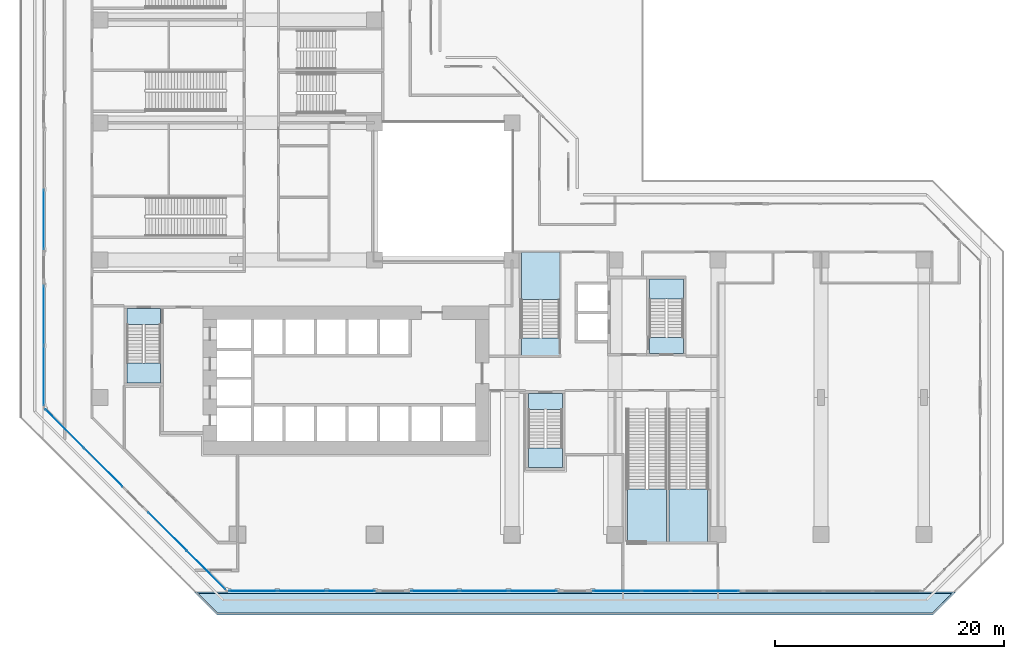
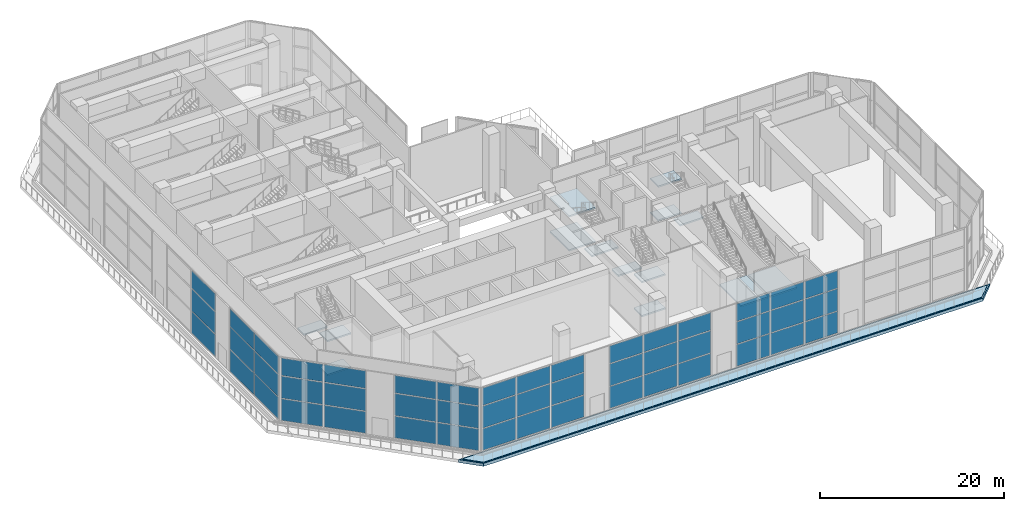
# One storey, part 9 of 28: 48 plates, 16 slabs, 13 elements without a shape of their own.
"""IFC4 building model written with IfcOpenShell, lengths in metres."""

from ifc_helpers import new_model, si_unit, direction, frame, origin, origin_2d, place, context, subcontext, project, spatial, polyline, rectangle, outline, extrude, material, layer, layer_set, type_object, element, aggregate, save


model = new_model("IFC4")

# Units and contexts
model_context = context("Model", 3, precision=1e-05, world=origin(), true_north=direction((0.0, 1.0)))
body_context = subcontext(model_context, "Body", "Model", "MODEL_VIEW")
ifc_project = project(units=[si_unit("LENGTHUNIT", "METRE"), si_unit("AREAUNIT", "SQUARE_METRE"), si_unit("VOLUMEUNIT", "CUBIC_METRE"), si_unit("PLANEANGLEUNIT", "RADIAN"), si_unit("MASSUNIT", "GRAM", prefix="KILO")], contexts=[model_context])

# Site, building, storey
site_placement = place(None, origin())
site = spatial("IfcSite", under=ifc_project, at=site_placement, CompositionType="ELEMENT")
building_placement = place(site_placement, origin())
building = spatial("IfcBuilding", under=site, at=building_placement, Name="Chenar Terraces", CompositionType="ELEMENT")
storey_placement = place(building_placement, frame((0.0, 0.0, 26.39990234375)))
storey = spatial("IfcBuildingStorey", under=building, at=storey_placement, Name="L05", CompositionType="ELEMENT", Elevation=26.39990234375)

# Stair, slabs
ifc_material_1 = material(Name="Reinforced concrete C40/50", Category="concrete")
stair_type = type_object("IfcStairType", Name="Core stair 1400 half-turn", PredefinedType="HALF_TURN_STAIR", material=ifc_material_1)
placement_1 = place(storey_placement, origin())
stair_1 = element("IfcStair", 1, at=placement_1, inside=storey, type_object=stair_type, Name="L05 Stair 1", PredefinedType="HALF_TURN_STAIR")
ifc_material_2 = material(Name="Reinforced concrete C40/50", Category="concrete")
ifc_layer_1 = layer(ifc_material_2, 0.199951171875)
ifc_layer_set_1 = layer_set([ifc_layer_1], Name="Reinforced concrete C40/50")
slab_type_1 = type_object("IfcSlabType", Name="Core stair landing 200", PredefinedType="LANDING", material=ifc_layer_set_1)
placement_2 = place(storey_placement, frame((0.0, 0.0, 2.050048828125)))
slab_1 = element("IfcSlab", 2, at=placement_2, type_object=slab_type_1, Name="ST1 landing 1", PredefinedType="LANDING", context=body_context, shape_type="SweptSolid", body=[
    extrude(outline(polyline([(2.35009765625, 14.989990234375), (2.35009765625, 13.25), (5.300048828125, 13.25), (5.300048828125, 14.989990234375), (2.35009765625, 14.989990234375)])), origin(), (0.0, 0.0, 1.0), 0.199951171875),
])
placement_3 = place(storey_placement, frame((0.0, 0.0, 4.300048828125)))
slab_2 = element("IfcSlab", 3, at=placement_3, type_object=slab_type_1, Name="ST1 landing 2", PredefinedType="LANDING", context=body_context, shape_type="SweptSolid", body=[
    extrude(outline(polyline([(2.35009765625, 19.75), (2.35009765625, 18.35009765625), (5.300048828125, 18.35009765625), (5.300048828125, 19.75), (2.35009765625, 19.75)])), origin(), (0.0, 0.0, 1.0), 0.199951171875),
])
placement_4 = place(storey_placement, frame((0.0, 0.0, 6.550048828125)))
slab_3 = element("IfcSlab", 4, at=placement_4, type_object=slab_type_1, Name="ST1 landing 3", PredefinedType="LANDING", context=body_context, shape_type="SweptSolid", body=[
    extrude(outline(polyline([(2.35009765625, 14.989990234375), (2.35009765625, 13.25), (5.300048828125, 13.25), (5.300048828125, 14.989990234375), (2.35009765625, 14.989990234375)])), origin(), (0.0, 0.0, 1.0), 0.199951171875),
])
aggregate(stair_1, [slab_1, slab_2, slab_3])

stair_2 = element("IfcStair", 5, at=placement_1, inside=storey, type_object=stair_type, Name="L05 Stair 2", PredefinedType="HALF_TURN_STAIR")
slab_4 = element("IfcSlab", 6, at=placement_2, type_object=slab_type_1, Name="ST2 landing 1", PredefinedType="LANDING", context=body_context, shape_type="SweptSolid", body=[
    extrude(outline(polyline([(37.449951171875, 7.590087890625), (37.449951171875, 5.85009765625), (40.39990234375, 5.85009765625), (40.39990234375, 7.590087890625), (37.449951171875, 7.590087890625)])), origin(), (0.0, 0.0, 1.0), 0.199951171875),
])
slab_5 = element("IfcSlab", 7, at=placement_3, type_object=slab_type_1, Name="ST2 landing 2", PredefinedType="LANDING", context=body_context, shape_type="SweptSolid", body=[
    extrude(outline(polyline([(37.449951171875, 12.35009765625), (37.449951171875, 10.949951171875), (40.39990234375, 10.949951171875), (40.39990234375, 12.35009765625), (37.449951171875, 12.35009765625)])), origin(), (0.0, 0.0, 1.0), 0.199951171875),
])
slab_6 = element("IfcSlab", 8, at=placement_4, type_object=slab_type_1, Name="ST2 landing 3", PredefinedType="LANDING", context=body_context, shape_type="SweptSolid", body=[
    extrude(outline(polyline([(37.449951171875, 7.590087890625), (37.449951171875, 5.85009765625), (40.39990234375, 5.85009765625), (40.39990234375, 7.590087890625), (37.449951171875, 7.590087890625)])), origin(), (0.0, 0.0, 1.0), 0.199951171875),
])
aggregate(stair_2, [slab_4, slab_5, slab_6])

stair_3 = element("IfcStair", 9, at=placement_1, inside=storey, type_object=stair_type, Name="L05 Stair 3", PredefinedType="HALF_TURN_STAIR")
slab_7 = element("IfcSlab", 10, at=placement_2, type_object=slab_type_1, Name="ST3 landing 1", PredefinedType="LANDING", context=body_context, shape_type="SweptSolid", body=[
    extrude(outline(polyline([(50.97509765625, 20.610107421875), (50.97509765625, 22.35009765625), (48.02490234375, 22.35009765625), (48.02490234375, 20.610107421875), (50.97509765625, 20.610107421875)])), origin(), (0.0, 0.0, 1.0), 0.199951171875),
])
slab_8 = element("IfcSlab", 11, at=placement_3, type_object=slab_type_1, Name="ST3 landing 2", PredefinedType="LANDING", context=body_context, shape_type="SweptSolid", body=[
    extrude(outline(polyline([(50.97509765625, 15.85009765625), (50.97509765625, 17.25), (48.02490234375, 17.25), (48.02490234375, 15.85009765625), (50.97509765625, 15.85009765625)])), origin(), (0.0, 0.0, 1.0), 0.199951171875),
])
slab_9 = element("IfcSlab", 12, at=placement_4, type_object=slab_type_1, Name="ST3 landing 3", PredefinedType="LANDING", context=body_context, shape_type="SweptSolid", body=[
    extrude(outline(polyline([(50.97509765625, 20.610107421875), (50.97509765625, 22.35009765625), (48.02490234375, 22.35009765625), (48.02490234375, 20.610107421875), (50.97509765625, 20.610107421875)])), origin(), (0.0, 0.0, 1.0), 0.199951171875),
])
aggregate(stair_3, [slab_7, slab_8, slab_9])

stair_4 = element("IfcStair", 13, at=placement_1, inside=storey, type_object=stair_type, Name="L05 Exit stair PS1", PredefinedType="HALF_TURN_STAIR")
slab_10 = element("IfcSlab", 14, at=placement_2, type_object=slab_type_1, Name="PS1 landing 1", PredefinedType="LANDING", context=body_context, shape_type="SweptSolid", body=[
    extrude(outline(polyline([(40.175048828125, 20.56005859375), (40.175048828125, 24.699951171875), (36.824951171875, 24.699951171875), (36.824951171875, 20.56005859375), (40.175048828125, 20.56005859375)])), origin(), (0.0, 0.0, 1.0), 0.199951171875),
])
slab_11 = element("IfcSlab", 15, at=placement_3, type_object=slab_type_1, Name="PS1 landing 2", PredefinedType="LANDING", context=body_context, shape_type="SweptSolid", body=[
    extrude(outline(polyline([(40.175048828125, 15.60009765625), (40.175048828125, 17.199951171875), (36.824951171875, 17.199951171875), (36.824951171875, 15.60009765625), (40.175048828125, 15.60009765625)])), origin(), (0.0, 0.0, 1.0), 0.199951171875),
])
slab_12 = element("IfcSlab", 16, at=placement_4, type_object=slab_type_1, Name="PS1 landing 3", PredefinedType="LANDING", context=body_context, shape_type="SweptSolid", body=[
    extrude(outline(polyline([(40.175048828125, 20.56005859375), (40.175048828125, 24.699951171875), (36.824951171875, 24.699951171875), (36.824951171875, 20.56005859375), (40.175048828125, 20.56005859375)])), origin(), (0.0, 0.0, 1.0), 0.199951171875),
])
aggregate(stair_4, [slab_10, slab_11, slab_12])

# Stair, slab
stair_5 = element("IfcStair", 17, at=placement_1, inside=storey, type_object=stair_type, Name="L05 Exit stair PS2", PredefinedType="HALF_TURN_STAIR")
slab_13 = element("IfcSlab", 18, at=placement_3, type_object=slab_type_1, Name="PS2 landing 1", PredefinedType="LANDING", context=body_context, shape_type="SweptSolid", body=[
    extrude(outline(polyline([(49.7099609375, 3.985107421875), (49.7099609375, -0.699951171875), (53.090087890625, -0.699951171875), (53.090087890625, 3.985107421875), (49.7099609375, 3.985107421875)])), origin(), (0.0, 0.0, 1.0), 0.199951171875),
])
aggregate(stair_5, [slab_13])

stair_6 = element("IfcStair", 19, at=placement_1, inside=storey, type_object=stair_type, Name="L05 Exit stair PS6", PredefinedType="HALF_TURN_STAIR")
slab_14 = element("IfcSlab", 20, at=placement_3, type_object=slab_type_1, Name="PS6 landing 1", PredefinedType="LANDING", context=body_context, shape_type="SweptSolid", body=[
    extrude(outline(polyline([(46.110107421875, 3.985107421875), (46.110107421875, -0.699951171875), (49.489990234375, -0.699951171875), (49.489990234375, 3.985107421875), (46.110107421875, 3.985107421875)])), origin(), (0.0, 0.0, 1.0), 0.199951171875),
])
aggregate(stair_6, [slab_14])

# Curtain wall, plates
ifc_material_3 = material(Name="Aluminium framed glazing", Category="aluminium")
ifc_layer_2 = layer(ifc_material_3, 0.14990234375)
ifc_layer_set_2 = layer_set([ifc_layer_2], Name="Aluminium framed glazing")
curtain_wall_type = type_object("IfcCurtainWallType", Name="Hall curtain wall", PredefinedType="NOTDEFINED", material=ifc_layer_set_2)
curtain_wall_1 = element("IfcCurtainWall", 21, at=placement_1, inside=storey, type_object=curtain_wall_type, Name="Hall curtain wall", PredefinedType="NOTDEFINED")
ifc_material_4 = material(Name="Low emissivity laminated glass, solar control coating", Category="glass")
ifc_layer_3 = layer(ifc_material_4, 0.035888671875)
ifc_layer_set_3 = layer_set([ifc_layer_3], Name="Low emissivity laminated glass, solar control coating")
plate_type = type_object("IfcPlateType", Name="Hall glazing panel 36", PredefinedType="CURTAIN_PANEL", material=ifc_layer_set_3)
plate_1_placement = place(storey_placement, frame((-4.925048828125, 27.541259765625, 0.09033203125), z_axis=(0.0, 0.0, 1.0), x_axis=(0.0, -1.0, 0.0)))
plate_1 = element("IfcPlate", 22, at=plate_1_placement, type_object=plate_type, Name="CW5-10c2 panel 2.1", PredefinedType="CURTAIN_PANEL", context=body_context, shape_type="SweptSolid", body=[
    extrude(rectangle(XDim=5.177490234375, YDim=0.035888671875, at=origin_2d()), origin(), (0.0, 0.0, 1.0), 2.864990234375),
])
plate_2_placement = place(storey_placement, frame((-4.925048828125, 27.541259765625, 3.044921875), z_axis=(0.0, 0.0, 1.0), x_axis=(0.0, -1.0, 0.0)))
plate_2 = element("IfcPlate", 23, at=plate_2_placement, type_object=plate_type, Name="CW5-10c2 panel 2.2", PredefinedType="CURTAIN_PANEL", context=body_context, shape_type="SweptSolid", body=[
    extrude(rectangle(XDim=5.177490234375, YDim=0.035888671875, at=origin_2d()), origin(), (0.0, 0.0, 1.0), 2.909912109375),
])
plate_3_placement = place(storey_placement, frame((-4.925048828125, 27.541259765625, 6.045166015625), z_axis=(0.0, 0.0, 1.0), x_axis=(0.0, -1.0, 0.0)))
plate_3 = element("IfcPlate", 24, at=plate_3_placement, type_object=plate_type, Name="CW5-10c2 panel 2.3", PredefinedType="CURTAIN_PANEL", context=body_context, shape_type="SweptSolid", body=[
    extrude(rectangle(XDim=5.177490234375, YDim=0.035888671875, at=origin_2d()), origin(), (0.0, 0.0, 1.0), 2.31494140625),
])
aggregate(curtain_wall_1, [plate_1, plate_2, plate_3])

curtain_wall_2 = element("IfcCurtainWall", 25, at=placement_1, inside=storey, type_object=curtain_wall_type, Name="Hall curtain wall", PredefinedType="NOTDEFINED")
plate_4_placement = place(storey_placement, frame((-4.925048828125, 19.15576171875, 0.09033203125), z_axis=(0.0, 0.0, 1.0), x_axis=(0.0, -1.0, 0.0)))
plate_4 = element("IfcPlate", 26, at=plate_4_placement, type_object=plate_type, Name="CW5-10c3 panel 1.1", PredefinedType="CURTAIN_PANEL", context=body_context, shape_type="SweptSolid", body=[
    extrude(rectangle(XDim=5.18359375, YDim=0.035888671875, at=origin_2d()), origin(), (0.0, 0.0, 1.0), 2.864990234375),
])
plate_5_placement = place(storey_placement, frame((-4.925048828125, 19.15576171875, 3.044921875), z_axis=(0.0, 0.0, 1.0), x_axis=(0.0, -1.0, 0.0)))
plate_5 = element("IfcPlate", 27, at=plate_5_placement, type_object=plate_type, Name="CW5-10c3 panel 1.2", PredefinedType="CURTAIN_PANEL", context=body_context, shape_type="SweptSolid", body=[
    extrude(rectangle(XDim=5.18359375, YDim=0.035888671875, at=origin_2d()), origin(), (0.0, 0.0, 1.0), 2.909912109375),
])
plate_6_placement = place(storey_placement, frame((-4.925048828125, 19.15576171875, 6.045166015625), z_axis=(0.0, 0.0, 1.0), x_axis=(0.0, -1.0, 0.0)))
plate_6 = element("IfcPlate", 28, at=plate_6_placement, type_object=plate_type, Name="CW5-10c3 panel 1.3", PredefinedType="CURTAIN_PANEL", context=body_context, shape_type="SweptSolid", body=[
    extrude(rectangle(XDim=5.18359375, YDim=0.035888671875, at=origin_2d()), origin(), (0.0, 0.0, 1.0), 2.31494140625),
])
plate_7_placement = place(storey_placement, frame((-4.925048828125, 13.882080078125, 0.09033203125), z_axis=(0.0, 0.0, 1.0), x_axis=(0.0, -1.0, 0.0)))
plate_7 = element("IfcPlate", 29, at=plate_7_placement, type_object=plate_type, Name="CW5-10c3 panel 2.1", PredefinedType="CURTAIN_PANEL", context=body_context, shape_type="SweptSolid", body=[
    extrude(rectangle(XDim=5.18359375, YDim=0.035888671875, at=origin_2d()), origin(), (0.0, 0.0, 1.0), 2.864990234375),
])
plate_8_placement = place(storey_placement, frame((-4.925048828125, 13.882080078125, 3.044921875), z_axis=(0.0, 0.0, 1.0), x_axis=(0.0, -1.0, 0.0)))
plate_8 = element("IfcPlate", 30, at=plate_8_placement, type_object=plate_type, Name="CW5-10c3 panel 2.2", PredefinedType="CURTAIN_PANEL", context=body_context, shape_type="SweptSolid", body=[
    extrude(rectangle(XDim=5.18359375, YDim=0.035888671875, at=origin_2d()), origin(), (0.0, 0.0, 1.0), 2.909912109375),
])
plate_9_placement = place(storey_placement, frame((-4.925048828125, 13.882080078125, 6.045166015625), z_axis=(0.0, 0.0, 1.0), x_axis=(0.0, -1.0, 0.0)))
plate_9 = element("IfcPlate", 31, at=plate_9_placement, type_object=plate_type, Name="CW5-10c3 panel 2.3", PredefinedType="CURTAIN_PANEL", context=body_context, shape_type="SweptSolid", body=[
    extrude(rectangle(XDim=5.18359375, YDim=0.035888671875, at=origin_2d()), origin(), (0.0, 0.0, 1.0), 2.31494140625),
])
aggregate(curtain_wall_2, [plate_4, plate_5, plate_6, plate_7, plate_8, plate_9])

curtain_wall_3 = element("IfcCurtainWall", 32, at=placement_1, inside=storey, type_object=curtain_wall_type, Name="Hall curtain wall", PredefinedType="NOTDEFINED")
plate_10_placement = place(storey_placement, frame((-3.112548828125, 9.26904296875, 0.09033203125), z_axis=(0.0, 0.0, 1.0), x_axis=(0.707106781187, -0.707106781187, 0.0)))
plate_10 = element("IfcPlate", 33, at=plate_10_placement, type_object=plate_type, Name="CW5-11c0 panel 1.1", PredefinedType="CURTAIN_PANEL", context=body_context, shape_type="SweptSolid", body=[
    extrude(rectangle(XDim=4.70849609375, YDim=0.035888671875, at=origin_2d()), origin(), (0.0, 0.0, 1.0), 2.864990234375),
])
plate_11_placement = place(storey_placement, frame((-3.112548828125, 9.26904296875, 3.044921875), z_axis=(0.0, 0.0, 1.0), x_axis=(0.707106781187, -0.707106781187, 0.0)))
plate_11 = element("IfcPlate", 34, at=plate_11_placement, type_object=plate_type, Name="CW5-11c0 panel 1.2", PredefinedType="CURTAIN_PANEL", context=body_context, shape_type="SweptSolid", body=[
    extrude(rectangle(XDim=4.70849609375, YDim=0.035888671875, at=origin_2d()), origin(), (0.0, 0.0, 1.0), 2.909912109375),
])
plate_12_placement = place(storey_placement, frame((-3.112548828125, 9.26904296875, 6.045166015625), z_axis=(0.0, 0.0, 1.0), x_axis=(0.707106781187, -0.707106781187, 0.0)))
plate_12 = element("IfcPlate", 35, at=plate_12_placement, type_object=plate_type, Name="CW5-11c0 panel 1.3", PredefinedType="CURTAIN_PANEL", context=body_context, shape_type="SweptSolid", body=[
    extrude(rectangle(XDim=4.70849609375, YDim=0.035888671875, at=origin_2d()), origin(), (0.0, 0.0, 1.0), 2.31494140625),
])
plate_13_placement = place(storey_placement, frame((0.2802734375, 5.8759765625, 0.09033203125), z_axis=(0.0, 0.0, 1.0), x_axis=(0.707106781187, -0.707106781187, 0.0)))
plate_13 = element("IfcPlate", 36, at=plate_13_placement, type_object=plate_type, Name="CW5-11c0 panel 2.1", PredefinedType="CURTAIN_PANEL", context=body_context, shape_type="SweptSolid", body=[
    extrude(rectangle(XDim=4.70849609375, YDim=0.035888671875, at=origin_2d()), origin(), (0.0, 0.0, 1.0), 2.864990234375),
])
plate_14_placement = place(storey_placement, frame((0.2802734375, 5.8759765625, 3.044921875), z_axis=(0.0, 0.0, 1.0), x_axis=(0.707106781187, -0.707106781187, 0.0)))
plate_14 = element("IfcPlate", 37, at=plate_14_placement, type_object=plate_type, Name="CW5-11c0 panel 2.2", PredefinedType="CURTAIN_PANEL", context=body_context, shape_type="SweptSolid", body=[
    extrude(rectangle(XDim=4.70849609375, YDim=0.035888671875, at=origin_2d()), origin(), (0.0, 0.0, 1.0), 2.909912109375),
])
plate_15_placement = place(storey_placement, frame((0.2802734375, 5.8759765625, 6.045166015625), z_axis=(0.0, 0.0, 1.0), x_axis=(0.707106781187, -0.707106781187, 0.0)))
plate_15 = element("IfcPlate", 38, at=plate_15_placement, type_object=plate_type, Name="CW5-11c0 panel 2.3", PredefinedType="CURTAIN_PANEL", context=body_context, shape_type="SweptSolid", body=[
    extrude(rectangle(XDim=4.70849609375, YDim=0.035888671875, at=origin_2d()), origin(), (0.0, 0.0, 1.0), 2.31494140625),
])
aggregate(curtain_wall_3, [plate_10, plate_11, plate_12, plate_13, plate_14, plate_15])

curtain_wall_4 = element("IfcCurtainWall", 39, at=placement_1, inside=storey, type_object=curtain_wall_type, Name="Hall curtain wall", PredefinedType="NOTDEFINED")
plate_16_placement = place(storey_placement, frame((5.8759765625, 0.2802734375, 0.09033203125), z_axis=(0.0, 0.0, 1.0), x_axis=(0.707106781187, -0.707106781187, 0.0)))
plate_16 = element("IfcPlate", 40, at=plate_16_placement, type_object=plate_type, Name="CW5-11c1 panel 1.1", PredefinedType="CURTAIN_PANEL", context=body_context, shape_type="SweptSolid", body=[
    extrude(rectangle(XDim=4.70849609375, YDim=0.035888671875, at=origin_2d()), origin(), (0.0, 0.0, 1.0), 2.864990234375),
])
plate_17_placement = place(storey_placement, frame((5.8759765625, 0.2802734375, 3.044921875), z_axis=(0.0, 0.0, 1.0), x_axis=(0.707106781187, -0.707106781187, 0.0)))
plate_17 = element("IfcPlate", 41, at=plate_17_placement, type_object=plate_type, Name="CW5-11c1 panel 1.2", PredefinedType="CURTAIN_PANEL", context=body_context, shape_type="SweptSolid", body=[
    extrude(rectangle(XDim=4.70849609375, YDim=0.035888671875, at=origin_2d()), origin(), (0.0, 0.0, 1.0), 2.909912109375),
])
plate_18_placement = place(storey_placement, frame((5.8759765625, 0.2802734375, 6.045166015625), z_axis=(0.0, 0.0, 1.0), x_axis=(0.707106781187, -0.707106781187, 0.0)))
plate_18 = element("IfcPlate", 42, at=plate_18_placement, type_object=plate_type, Name="CW5-11c1 panel 1.3", PredefinedType="CURTAIN_PANEL", context=body_context, shape_type="SweptSolid", body=[
    extrude(rectangle(XDim=4.70849609375, YDim=0.035888671875, at=origin_2d()), origin(), (0.0, 0.0, 1.0), 2.31494140625),
])
plate_19_placement = place(storey_placement, frame((9.26904296875, -3.112548828125, 0.09033203125), z_axis=(0.0, 0.0, 1.0), x_axis=(0.707106781187, -0.707106781187, 0.0)))
plate_19 = element("IfcPlate", 43, at=plate_19_placement, type_object=plate_type, Name="CW5-11c1 panel 2.1", PredefinedType="CURTAIN_PANEL", context=body_context, shape_type="SweptSolid", body=[
    extrude(rectangle(XDim=4.70849609375, YDim=0.035888671875, at=origin_2d()), origin(), (0.0, 0.0, 1.0), 2.864990234375),
])
plate_20_placement = place(storey_placement, frame((9.26904296875, -3.112548828125, 3.044921875), z_axis=(0.0, 0.0, 1.0), x_axis=(0.707106781187, -0.707106781187, 0.0)))
plate_20 = element("IfcPlate", 44, at=plate_20_placement, type_object=plate_type, Name="CW5-11c1 panel 2.2", PredefinedType="CURTAIN_PANEL", context=body_context, shape_type="SweptSolid", body=[
    extrude(rectangle(XDim=4.70849609375, YDim=0.035888671875, at=origin_2d()), origin(), (0.0, 0.0, 1.0), 2.909912109375),
])
plate_21_placement = place(storey_placement, frame((9.26904296875, -3.112548828125, 6.045166015625), z_axis=(0.0, 0.0, 1.0), x_axis=(0.707106781187, -0.707106781187, 0.0)))
plate_21 = element("IfcPlate", 45, at=plate_21_placement, type_object=plate_type, Name="CW5-11c1 panel 2.3", PredefinedType="CURTAIN_PANEL", context=body_context, shape_type="SweptSolid", body=[
    extrude(rectangle(XDim=4.70849609375, YDim=0.035888671875, at=origin_2d()), origin(), (0.0, 0.0, 1.0), 2.31494140625),
])
aggregate(curtain_wall_4, [plate_16, plate_17, plate_18, plate_19, plate_20, plate_21])

curtain_wall_5 = element("IfcCurtainWall", 46, at=placement_1, inside=storey, type_object=curtain_wall_type, Name="Hall curtain wall", PredefinedType="NOTDEFINED")
plate_22_placement = place(storey_placement, frame((13.37060546875, -4.925048828125, 0.09033203125), z_axis=(0.0, 0.0, 1.0), x_axis=(1.0, 0.0, 0.0)))
plate_22 = element("IfcPlate", 47, at=plate_22_placement, type_object=plate_type, Name="CW5-12c0 panel 1.1", PredefinedType="CURTAIN_PANEL", context=body_context, shape_type="SweptSolid", body=[
    extrude(rectangle(XDim=4.160888671875, YDim=0.035888671875, at=origin_2d()), origin(), (0.0, 0.0, 1.0), 2.864990234375),
])
plate_23_placement = place(storey_placement, frame((13.37060546875, -4.925048828125, 3.044921875), z_axis=(0.0, 0.0, 1.0), x_axis=(1.0, 0.0, 0.0)))
plate_23 = element("IfcPlate", 48, at=plate_23_placement, type_object=plate_type, Name="CW5-12c0 panel 1.2", PredefinedType="CURTAIN_PANEL", context=body_context, shape_type="SweptSolid", body=[
    extrude(rectangle(XDim=4.160888671875, YDim=0.035888671875, at=origin_2d()), origin(), (0.0, 0.0, 1.0), 2.909912109375),
])
plate_24_placement = place(storey_placement, frame((13.37060546875, -4.925048828125, 6.045166015625), z_axis=(0.0, 0.0, 1.0), x_axis=(1.0, 0.0, 0.0)))
plate_24 = element("IfcPlate", 49, at=plate_24_placement, type_object=plate_type, Name="CW5-12c0 panel 1.3", PredefinedType="CURTAIN_PANEL", context=body_context, shape_type="SweptSolid", body=[
    extrude(rectangle(XDim=4.160888671875, YDim=0.035888671875, at=origin_2d()), origin(), (0.0, 0.0, 1.0), 2.31494140625),
])
plate_25_placement = place(storey_placement, frame((17.64404296875, -4.925048828125, 0.09033203125), z_axis=(0.0, 0.0, 1.0), x_axis=(1.0, 0.0, 0.0)))
plate_25 = element("IfcPlate", 50, at=plate_25_placement, type_object=plate_type, Name="CW5-12c0 panel 2.1", PredefinedType="CURTAIN_PANEL", context=body_context, shape_type="SweptSolid", body=[
    extrude(rectangle(XDim=4.205810546875, YDim=0.035888671875, at=origin_2d()), origin(), (0.0, 0.0, 1.0), 2.864990234375),
])
plate_26_placement = place(storey_placement, frame((17.64404296875, -4.925048828125, 3.044921875), z_axis=(0.0, 0.0, 1.0), x_axis=(1.0, 0.0, 0.0)))
plate_26 = element("IfcPlate", 51, at=plate_26_placement, type_object=plate_type, Name="CW5-12c0 panel 2.2", PredefinedType="CURTAIN_PANEL", context=body_context, shape_type="SweptSolid", body=[
    extrude(rectangle(XDim=4.205810546875, YDim=0.035888671875, at=origin_2d()), origin(), (0.0, 0.0, 1.0), 2.909912109375),
])
plate_27_placement = place(storey_placement, frame((17.64404296875, -4.925048828125, 6.045166015625), z_axis=(0.0, 0.0, 1.0), x_axis=(1.0, 0.0, 0.0)))
plate_27 = element("IfcPlate", 52, at=plate_27_placement, type_object=plate_type, Name="CW5-12c0 panel 2.3", PredefinedType="CURTAIN_PANEL", context=body_context, shape_type="SweptSolid", body=[
    extrude(rectangle(XDim=4.205810546875, YDim=0.035888671875, at=origin_2d()), origin(), (0.0, 0.0, 1.0), 2.31494140625),
])
plate_28_placement = place(storey_placement, frame((21.917236328125, -4.925048828125, 0.09033203125), z_axis=(0.0, 0.0, 1.0), x_axis=(1.0, 0.0, 0.0)))
plate_28 = element("IfcPlate", 53, at=plate_28_placement, type_object=plate_type, Name="CW5-12c0 panel 3.1", PredefinedType="CURTAIN_PANEL", context=body_context, shape_type="SweptSolid", body=[
    extrude(rectangle(XDim=4.160888671875, YDim=0.035888671875, at=origin_2d()), origin(), (0.0, 0.0, 1.0), 2.864990234375),
])
plate_29_placement = place(storey_placement, frame((21.917236328125, -4.925048828125, 3.044921875), z_axis=(0.0, 0.0, 1.0), x_axis=(1.0, 0.0, 0.0)))
plate_29 = element("IfcPlate", 54, at=plate_29_placement, type_object=plate_type, Name="CW5-12c0 panel 3.2", PredefinedType="CURTAIN_PANEL", context=body_context, shape_type="SweptSolid", body=[
    extrude(rectangle(XDim=4.160888671875, YDim=0.035888671875, at=origin_2d()), origin(), (0.0, 0.0, 1.0), 2.909912109375),
])
plate_30_placement = place(storey_placement, frame((21.917236328125, -4.925048828125, 6.045166015625), z_axis=(0.0, 0.0, 1.0), x_axis=(1.0, 0.0, 0.0)))
plate_30 = element("IfcPlate", 55, at=plate_30_placement, type_object=plate_type, Name="CW5-12c0 panel 3.3", PredefinedType="CURTAIN_PANEL", context=body_context, shape_type="SweptSolid", body=[
    extrude(rectangle(XDim=4.160888671875, YDim=0.035888671875, at=origin_2d()), origin(), (0.0, 0.0, 1.0), 2.31494140625),
])
aggregate(curtain_wall_5, [plate_22, plate_23, plate_24, plate_25, plate_26, plate_27, plate_28, plate_29, plate_30])

curtain_wall_6 = element("IfcCurtainWall", 56, at=placement_1, inside=storey, type_object=curtain_wall_type, Name="Hall curtain wall", PredefinedType="NOTDEFINED")
plate_31_placement = place(storey_placement, frame((29.281005859375, -4.925048828125, 0.09033203125), z_axis=(0.0, 0.0, 1.0), x_axis=(1.0, 0.0, 0.0)))
plate_31 = element("IfcPlate", 57, at=plate_31_placement, type_object=plate_type, Name="CW5-12c1 panel 1.1", PredefinedType="CURTAIN_PANEL", context=body_context, shape_type="SweptSolid", body=[
    extrude(rectangle(XDim=4.15673828125, YDim=0.035888671875, at=origin_2d()), origin(), (0.0, 0.0, 1.0), 2.864990234375),
])
plate_32_placement = place(storey_placement, frame((29.281005859375, -4.925048828125, 3.044921875), z_axis=(0.0, 0.0, 1.0), x_axis=(1.0, 0.0, 0.0)))
plate_32 = element("IfcPlate", 58, at=plate_32_placement, type_object=plate_type, Name="CW5-12c1 panel 1.2", PredefinedType="CURTAIN_PANEL", context=body_context, shape_type="SweptSolid", body=[
    extrude(rectangle(XDim=4.15673828125, YDim=0.035888671875, at=origin_2d()), origin(), (0.0, 0.0, 1.0), 2.909912109375),
])
plate_33_placement = place(storey_placement, frame((29.281005859375, -4.925048828125, 6.045166015625), z_axis=(0.0, 0.0, 1.0), x_axis=(1.0, 0.0, 0.0)))
plate_33 = element("IfcPlate", 59, at=plate_33_placement, type_object=plate_type, Name="CW5-12c1 panel 1.3", PredefinedType="CURTAIN_PANEL", context=body_context, shape_type="SweptSolid", body=[
    extrude(rectangle(XDim=4.15673828125, YDim=0.035888671875, at=origin_2d()), origin(), (0.0, 0.0, 1.0), 2.31494140625),
])
plate_34_placement = place(storey_placement, frame((33.550048828125, -4.925048828125, 0.09033203125), z_axis=(0.0, 0.0, 1.0), x_axis=(1.0, 0.0, 0.0)))
plate_34 = element("IfcPlate", 60, at=plate_34_placement, type_object=plate_type, Name="CW5-12c1 panel 2.1", PredefinedType="CURTAIN_PANEL", context=body_context, shape_type="SweptSolid", body=[
    extrude(rectangle(XDim=4.20166015625, YDim=0.035888671875, at=origin_2d()), origin(), (0.0, 0.0, 1.0), 2.864990234375),
])
plate_35_placement = place(storey_placement, frame((33.550048828125, -4.925048828125, 3.044921875), z_axis=(0.0, 0.0, 1.0), x_axis=(1.0, 0.0, 0.0)))
plate_35 = element("IfcPlate", 61, at=plate_35_placement, type_object=plate_type, Name="CW5-12c1 panel 2.2", PredefinedType="CURTAIN_PANEL", context=body_context, shape_type="SweptSolid", body=[
    extrude(rectangle(XDim=4.20166015625, YDim=0.035888671875, at=origin_2d()), origin(), (0.0, 0.0, 1.0), 2.909912109375),
])
plate_36_placement = place(storey_placement, frame((33.550048828125, -4.925048828125, 6.045166015625), z_axis=(0.0, 0.0, 1.0), x_axis=(1.0, 0.0, 0.0)))
plate_36 = element("IfcPlate", 62, at=plate_36_placement, type_object=plate_type, Name="CW5-12c1 panel 2.3", PredefinedType="CURTAIN_PANEL", context=body_context, shape_type="SweptSolid", body=[
    extrude(rectangle(XDim=4.20166015625, YDim=0.035888671875, at=origin_2d()), origin(), (0.0, 0.0, 1.0), 2.31494140625),
])
plate_37_placement = place(storey_placement, frame((37.819091796875, -4.925048828125, 0.09033203125), z_axis=(0.0, 0.0, 1.0), x_axis=(1.0, 0.0, 0.0)))
plate_37 = element("IfcPlate", 63, at=plate_37_placement, type_object=plate_type, Name="CW5-12c1 panel 3.1", PredefinedType="CURTAIN_PANEL", context=body_context, shape_type="SweptSolid", body=[
    extrude(rectangle(XDim=4.15673828125, YDim=0.035888671875, at=origin_2d()), origin(), (0.0, 0.0, 1.0), 2.864990234375),
])
plate_38_placement = place(storey_placement, frame((37.819091796875, -4.925048828125, 3.044921875), z_axis=(0.0, 0.0, 1.0), x_axis=(1.0, 0.0, 0.0)))
plate_38 = element("IfcPlate", 64, at=plate_38_placement, type_object=plate_type, Name="CW5-12c1 panel 3.2", PredefinedType="CURTAIN_PANEL", context=body_context, shape_type="SweptSolid", body=[
    extrude(rectangle(XDim=4.15673828125, YDim=0.035888671875, at=origin_2d()), origin(), (0.0, 0.0, 1.0), 2.909912109375),
])
plate_39_placement = place(storey_placement, frame((37.819091796875, -4.925048828125, 6.045166015625), z_axis=(0.0, 0.0, 1.0), x_axis=(1.0, 0.0, 0.0)))
plate_39 = element("IfcPlate", 65, at=plate_39_placement, type_object=plate_type, Name="CW5-12c1 panel 3.3", PredefinedType="CURTAIN_PANEL", context=body_context, shape_type="SweptSolid", body=[
    extrude(rectangle(XDim=4.15673828125, YDim=0.035888671875, at=origin_2d()), origin(), (0.0, 0.0, 1.0), 2.31494140625),
])
aggregate(curtain_wall_6, [plate_31, plate_32, plate_33, plate_34, plate_35, plate_36, plate_37, plate_38, plate_39])

curtain_wall_7 = element("IfcCurtainWall", 66, at=placement_1, inside=storey, type_object=curtain_wall_type, Name="Hall curtain wall", PredefinedType="NOTDEFINED")
plate_40_placement = place(storey_placement, frame((45.180908203125, -4.925048828125, 0.09033203125), z_axis=(0.0, 0.0, 1.0), x_axis=(1.0, 0.0, 0.0)))
plate_40 = element("IfcPlate", 67, at=plate_40_placement, type_object=plate_type, Name="CW5-12c2 panel 1.1", PredefinedType="CURTAIN_PANEL", context=body_context, shape_type="SweptSolid", body=[
    extrude(rectangle(XDim=4.15673828125, YDim=0.035888671875, at=origin_2d()), origin(), (0.0, 0.0, 1.0), 2.864990234375),
])
plate_41_placement = place(storey_placement, frame((45.180908203125, -4.925048828125, 3.044921875), z_axis=(0.0, 0.0, 1.0), x_axis=(1.0, 0.0, 0.0)))
plate_41 = element("IfcPlate", 68, at=plate_41_placement, type_object=plate_type, Name="CW5-12c2 panel 1.2", PredefinedType="CURTAIN_PANEL", context=body_context, shape_type="SweptSolid", body=[
    extrude(rectangle(XDim=4.15673828125, YDim=0.035888671875, at=origin_2d()), origin(), (0.0, 0.0, 1.0), 2.909912109375),
])
plate_42_placement = place(storey_placement, frame((45.180908203125, -4.925048828125, 6.045166015625), z_axis=(0.0, 0.0, 1.0), x_axis=(1.0, 0.0, 0.0)))
plate_42 = element("IfcPlate", 69, at=plate_42_placement, type_object=plate_type, Name="CW5-12c2 panel 1.3", PredefinedType="CURTAIN_PANEL", context=body_context, shape_type="SweptSolid", body=[
    extrude(rectangle(XDim=4.15673828125, YDim=0.035888671875, at=origin_2d()), origin(), (0.0, 0.0, 1.0), 2.31494140625),
])
plate_43_placement = place(storey_placement, frame((49.449951171875, -4.925048828125, 0.09033203125), z_axis=(0.0, 0.0, 1.0), x_axis=(1.0, 0.0, 0.0)))
plate_43 = element("IfcPlate", 70, at=plate_43_placement, type_object=plate_type, Name="CW5-12c2 panel 2.1", PredefinedType="CURTAIN_PANEL", context=body_context, shape_type="SweptSolid", body=[
    extrude(rectangle(XDim=4.20166015625, YDim=0.035888671875, at=origin_2d()), origin(), (0.0, 0.0, 1.0), 2.864990234375),
])
plate_44_placement = place(storey_placement, frame((49.449951171875, -4.925048828125, 3.044921875), z_axis=(0.0, 0.0, 1.0), x_axis=(1.0, 0.0, 0.0)))
plate_44 = element("IfcPlate", 71, at=plate_44_placement, type_object=plate_type, Name="CW5-12c2 panel 2.2", PredefinedType="CURTAIN_PANEL", context=body_context, shape_type="SweptSolid", body=[
    extrude(rectangle(XDim=4.20166015625, YDim=0.035888671875, at=origin_2d()), origin(), (0.0, 0.0, 1.0), 2.909912109375),
])
plate_45_placement = place(storey_placement, frame((49.449951171875, -4.925048828125, 6.045166015625), z_axis=(0.0, 0.0, 1.0), x_axis=(1.0, 0.0, 0.0)))
plate_45 = element("IfcPlate", 72, at=plate_45_placement, type_object=plate_type, Name="CW5-12c2 panel 2.3", PredefinedType="CURTAIN_PANEL", context=body_context, shape_type="SweptSolid", body=[
    extrude(rectangle(XDim=4.20166015625, YDim=0.035888671875, at=origin_2d()), origin(), (0.0, 0.0, 1.0), 2.31494140625),
])
plate_46_placement = place(storey_placement, frame((53.718994140625, -4.925048828125, 0.09033203125), z_axis=(0.0, 0.0, 1.0), x_axis=(1.0, 0.0, 0.0)))
plate_46 = element("IfcPlate", 73, at=plate_46_placement, type_object=plate_type, Name="CW5-12c2 panel 3.1", PredefinedType="CURTAIN_PANEL", context=body_context, shape_type="SweptSolid", body=[
    extrude(rectangle(XDim=4.15673828125, YDim=0.035888671875, at=origin_2d()), origin(), (0.0, 0.0, 1.0), 2.864990234375),
])
plate_47_placement = place(storey_placement, frame((53.718994140625, -4.925048828125, 3.044921875), z_axis=(0.0, 0.0, 1.0), x_axis=(1.0, 0.0, 0.0)))
plate_47 = element("IfcPlate", 74, at=plate_47_placement, type_object=plate_type, Name="CW5-12c2 panel 3.2", PredefinedType="CURTAIN_PANEL", context=body_context, shape_type="SweptSolid", body=[
    extrude(rectangle(XDim=4.15673828125, YDim=0.035888671875, at=origin_2d()), origin(), (0.0, 0.0, 1.0), 2.909912109375),
])
plate_48_placement = place(storey_placement, frame((53.718994140625, -4.925048828125, 6.045166015625), z_axis=(0.0, 0.0, 1.0), x_axis=(1.0, 0.0, 0.0)))
plate_48 = element("IfcPlate", 75, at=plate_48_placement, type_object=plate_type, Name="CW5-12c2 panel 3.3", PredefinedType="CURTAIN_PANEL", context=body_context, shape_type="SweptSolid", body=[
    extrude(rectangle(XDim=4.15673828125, YDim=0.035888671875, at=origin_2d()), origin(), (0.0, 0.0, 1.0), 2.31494140625),
])
aggregate(curtain_wall_7, [plate_40, plate_41, plate_42, plate_43, plate_44, plate_45, plate_46, plate_47, plate_48])

# Slabs
ifc_material_5 = material(Name="Limestone paving", Category="masonry")
ifc_layer_4 = layer(ifc_material_5, 0.050048828125)
ifc_layer_set_4 = layer_set([ifc_layer_4], Name="Limestone paving")
slab_type_2 = type_object("IfcSlabType", Name="Terrace paving 50", PredefinedType="USERDEFINED", material=ifc_layer_set_4)
element("IfcSlab", 76, at=placement_1, inside=storey, type_object=slab_type_2, Name="Terrace paving", ObjectType="PAVING", PredefinedType="USERDEFINED", context=body_context, shape_type="SweptSolid", body=[
    extrude(outline(polyline([(72.716064453125, -6.85009765625), (10.283935546875, -6.85009765625), (8.583984375, -5.14990234375), (74.416015625, -5.14990234375), (72.716064453125, -6.85009765625)])), origin(), (0.0, 0.0, 1.0), 0.050048828125),
])
ifc_material_6 = material(Name="Concrete C40/50", Category="concrete")
ifc_layer_5 = layer(ifc_material_6, 0.39990234375)
ifc_layer_set_5 = layer_set([ifc_layer_5], Name="Concrete C40/50")
slab_type_3 = type_object("IfcSlabType", Name="Terrace slab 400 Concrete C40/50", PredefinedType="FLOOR", material=ifc_layer_set_5)
slab_16_placement = place(storey_placement, frame((0.0, 0.0, -0.39990234375)))
element("IfcSlab", 77, at=slab_16_placement, inside=storey, type_object=slab_type_3, Name="Terrace slab L05 2.1", PredefinedType="FLOOR", context=body_context, shape_type="SweptSolid", body=[
    extrude(outline(polyline([(72.7783203125, -7.0), (10.2216796875, -7.0), (8.2216796875, -5.0), (11.05029296875, -5.0), (71.94970703125, -5.0), (74.7783203125, -5.0), (72.7783203125, -7.0)])), origin(), (0.0, 0.0, 1.0), 0.39990234375),
])

save(model, "model.ifc")
